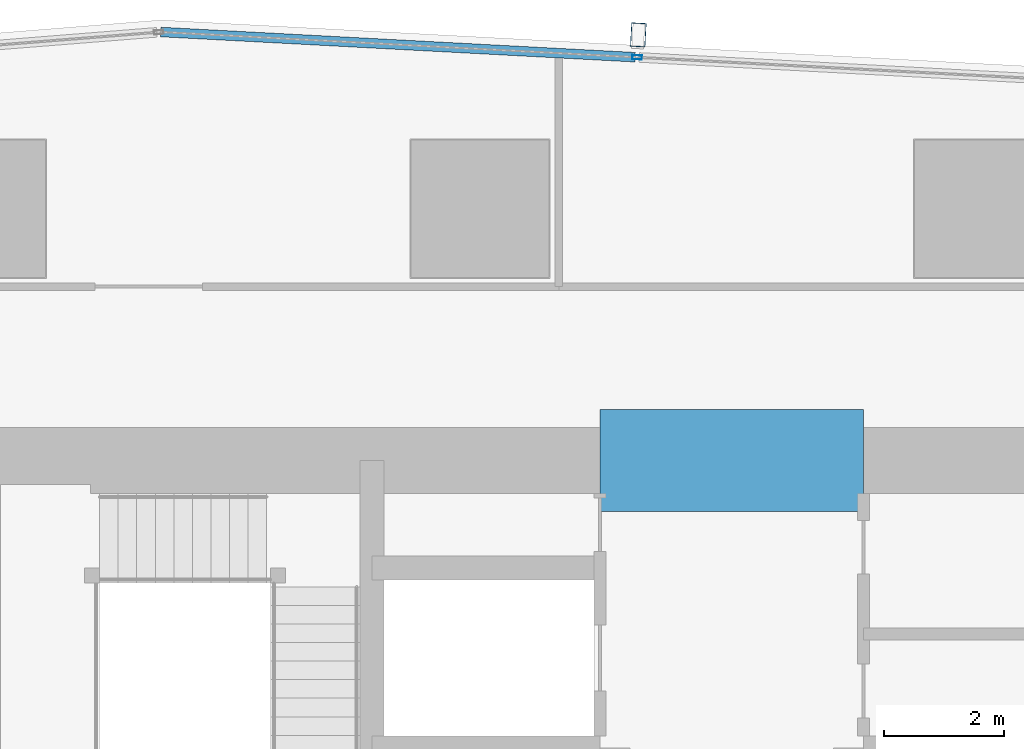
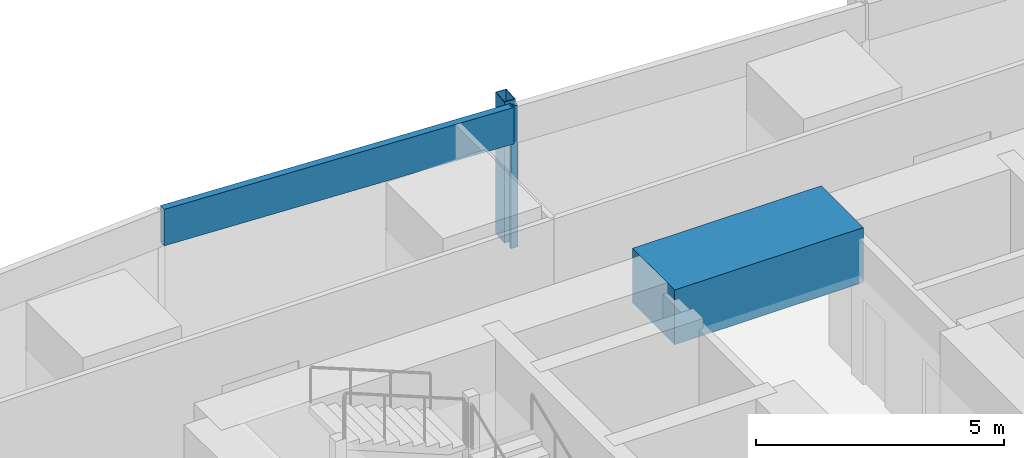
# One storey, part 16 of 32: 3 members, 1 beam, 1 element without a shape of its own.
"""IFC4 building model written with IfcOpenShell, lengths in metres."""

from ifc_helpers import new_model, si_unit, direction, frame, origin, origin_2d, place, context, subcontext, project, spatial, rectangle, hollow_rectangle, extrude, material, material_profile, profile_set, type_object, element, aggregate, save


model = new_model("IFC4")

# Units and contexts
model_context = context("Model", 3, precision=1e-05, world=origin(), true_north=direction((0.0, 1.0)))
body_context = subcontext(model_context, "Body", "Model", "MODEL_VIEW")
ifc_project = project(units=[si_unit("LENGTHUNIT", "METRE"), si_unit("AREAUNIT", "SQUARE_METRE"), si_unit("VOLUMEUNIT", "CUBIC_METRE"), si_unit("PLANEANGLEUNIT", "RADIAN"), si_unit("MASSUNIT", "GRAM", prefix="KILO")], contexts=[model_context])

# Site, building, storey
site_placement = place(None, origin())
site = spatial("IfcSite", under=ifc_project, at=site_placement, CompositionType="ELEMENT")
building_placement = place(site_placement, origin())
building = spatial("IfcBuilding", under=site, at=building_placement, Name="Rekha Terrace Tower", CompositionType="ELEMENT")
storey_placement = place(building_placement, frame((0.0, 0.0, 250.10009765625)))
storey = spatial("IfcBuildingStorey", under=building, at=storey_placement, Name="L63", CompositionType="ELEMENT", Elevation=250.10009765625)

# Curtain wall, members
ifc_material_1 = material(Name="Aluminium framing", Category="aluminium")
curtain_wall_type = type_object("IfcCurtainWallType", Name="CW3 north unitised glazing", PredefinedType="USERDEFINED", material=ifc_material_1)
curtain_wall_placement = place(storey_placement, origin())
curtain_wall = element("IfcCurtainWall", 1, at=curtain_wall_placement, inside=storey, type_object=curtain_wall_type, Name="CW3 unitised curtain wall", ObjectType="UNITISED CURTAIN WALL", PredefinedType="USERDEFINED")
ifc_material_2 = material(Name="Steel S355 with fluorocarbon finish", Category="steel")
ifc_material_profile_1 = material_profile(ifc_material_2, hollow_rectangle(XDim=0.25, YDim=0.39990234375, WallThickness=0.012451171875, at=origin_2d()), Name="RHS400x250x12.5")
ifc_profile_set_1 = profile_set([ifc_material_profile_1], Name="Steel S355 with fluorocarbon finish")
member_type_1 = type_object("IfcMemberType", Name="BL1 facade blade RHS 400 x 250", PredefinedType="USERDEFINED", material=ifc_profile_set_1)
member_1_placement = place(storey_placement, frame((36.24267578125, 53.301513671875, 0.02001953125), z_axis=(0.0, 0.0, 1.0), x_axis=(-0.998590068481, 0.053083661621, 0.0)))
member_1 = element("IfcMember", 2, at=member_1_placement, type_object=member_type_1, Name="Facade blade", ObjectType="FACADE BLADE", PredefinedType="USERDEFINED", context=body_context, shape_type="SweptSolid", body=[
    extrude(hollow_rectangle(XDim=0.25, YDim=0.39990234375, WallThickness=0.012451171875, at=origin_2d()), origin(), (0.0, 0.0, 1.0), 3.47998046875),
])
ifc_material_3 = material(Name="Aluminium mullion section", Category="aluminium")
ifc_material_profile_2 = material_profile(ifc_material_3, hollow_rectangle(XDim=0.070068359375, YDim=0.159912109375, WallThickness=0.00390625, at=origin_2d()), Name="AL RHS 70x160")
ifc_profile_set_2 = profile_set([ifc_material_profile_2], Name="Aluminium mullion section")
member_type_2 = type_object("IfcMemberType", Name="CW3 mullion RHS 70 x 160", PredefinedType="MULLION", material=ifc_profile_set_2)
member_2_placement = place(storey_placement, frame((36.22265625, 52.927001953125, 0.0), z_axis=(0.0, 0.0, 1.0), x_axis=(-0.053083275524, -0.998590089005, 0.0)))
member_2 = element("IfcMember", 3, at=member_2_placement, type_object=member_type_2, Name="CW3 mullion 4", PredefinedType="MULLION", context=body_context, shape_type="SweptSolid", body=[
    extrude(hollow_rectangle(XDim=0.070068359375, YDim=0.159912109375, WallThickness=0.00390625, at=origin_2d()), origin(), (0.0, 0.0, 1.0), 3.5),
])
ifc_material_4 = material(Name="Insulated aluminium spandrel box", Category="aluminium")
ifc_material_profile_3 = material_profile(ifc_material_4, hollow_rectangle(XDim=0.159912109375, YDim=0.89990234375, WallThickness=0.0029296875, at=origin_2d()), Name="AL SPANDREL BOX 160x900")
ifc_profile_set_3 = profile_set([ifc_material_profile_3], Name="Insulated aluminium spandrel box")
member_type_3 = type_object("IfcMemberType", Name="CW3 spandrel transom 160 x 900", PredefinedType="USERDEFINED", material=ifc_profile_set_3)
member_3_placement = place(storey_placement, frame((36.187744140625, 52.9287109375, 3.0498046875), z_axis=(-0.998589092231, 0.053102023288, 0.0), x_axis=(-0.053102023288, -0.998589092231, 0.0)))
member_3 = element("IfcMember", 4, at=member_3_placement, type_object=member_type_3, Name="CW3 spandrel transom 4", ObjectType="TRANSOM", PredefinedType="USERDEFINED", context=body_context, shape_type="SweptSolid", body=[
    extrude(hollow_rectangle(XDim=0.159912109375, YDim=0.89990234375, WallThickness=0.0029296875, at=origin_2d()), origin(), (0.0, 0.0, 1.0), 7.92626953125),
])
aggregate(curtain_wall, [member_2, member_3, member_1])

# Beam
ifc_material_5 = material(Name="Concrete M60", Category="concrete")
ifc_material_profile_4 = material_profile(ifc_material_5, rectangle(XDim=1.699951171875, YDim=1.35009765625, at=origin_2d()), Name="RC 1700x1350")
ifc_profile_set_4 = profile_set([ifc_material_profile_4], Name="Concrete M60")
beam_type = type_object("IfcBeamType", Name="LB4A 1700x1350 diagonally reinforced coupling beam", PredefinedType="LINTEL", material=ifc_profile_set_4)
beam_placement = place(storey_placement, frame((35.60009765625, 46.199951171875, 3.074951171875), z_axis=(1.0, 0.0, 0.0), x_axis=(0.0, 1.0, 0.0)))
element("IfcBeam", 5, at=beam_placement, inside=storey, type_object=beam_type, Name="Coupling beam LB4A N L63", PredefinedType="LINTEL", context=body_context, shape_type="SweptSolid", body=[
    extrude(rectangle(XDim=1.699951171875, YDim=1.35009765625, at=origin_2d()), origin(), (0.0, 0.0, 1.0), 4.39990234375),
])

save(model, "model.ifc")
